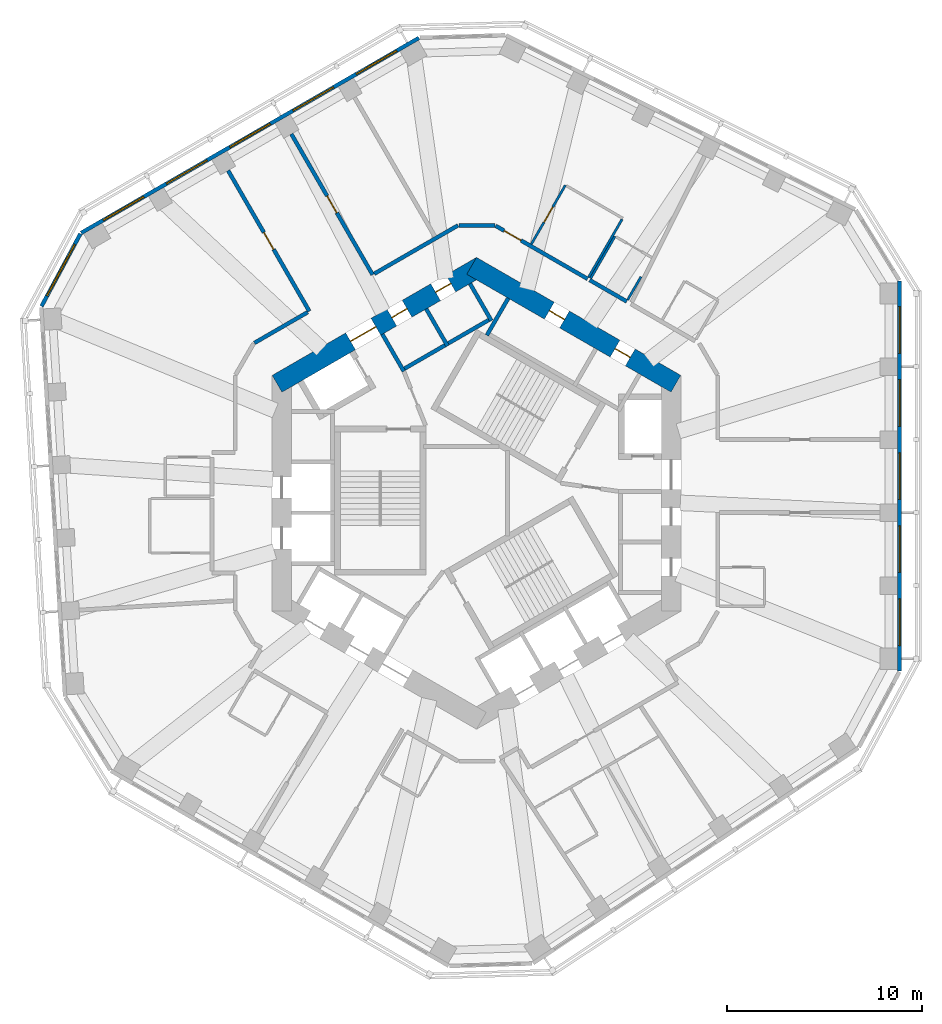
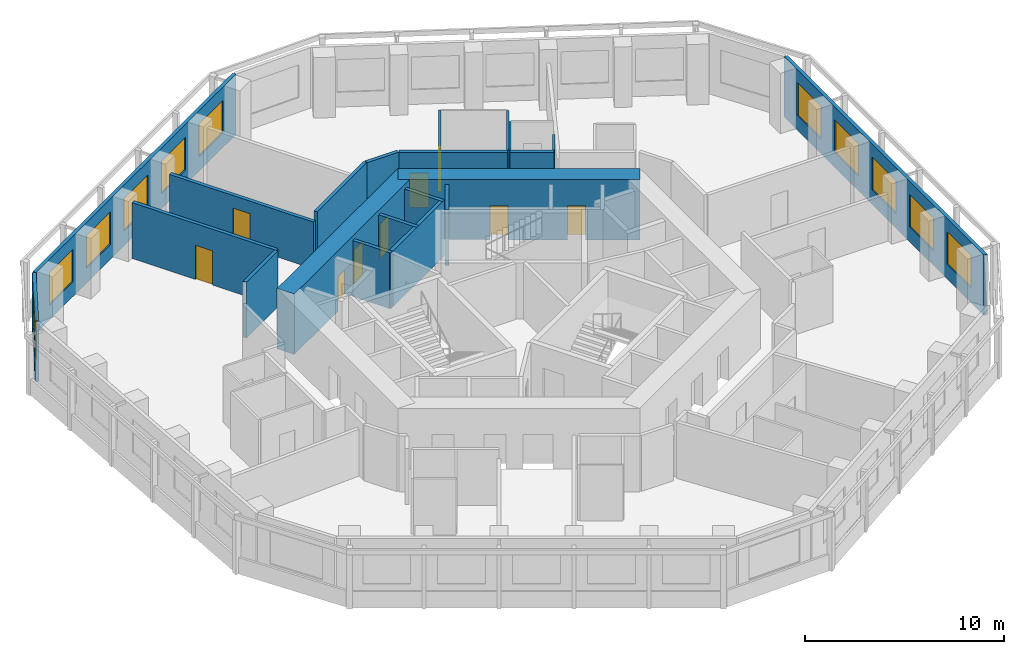
# One storey, part 7 of 11: 21 walls, 11 windows, 9 doors, 20 openings.
"""IFC4 building model written with IfcOpenShell, lengths in metres."""

from ifc_helpers import new_model, si_unit, direction, frame, frame_2d, origin, place, context, subcontext, project, spatial, rectangle, extrude, material, layer, layer_set, type_object, element, fill, save


model = new_model("IFC4")

# Units and contexts
model_context = context("Model", 3, precision=1e-05, world=origin(), true_north=direction((0.0, 1.0)))
body_context = subcontext(model_context, "Body", "Model", "MODEL_VIEW")
ifc_project = project(units=[si_unit("LENGTHUNIT", "METRE"), si_unit("AREAUNIT", "SQUARE_METRE"), si_unit("VOLUMEUNIT", "CUBIC_METRE"), si_unit("PLANEANGLEUNIT", "RADIAN"), si_unit("MASSUNIT", "GRAM", prefix="KILO")], contexts=[model_context])

# Site, building, storey
site_placement = place(None, origin())
site = spatial("IfcSite", under=ifc_project, at=site_placement, CompositionType="ELEMENT")
building_placement = place(site_placement, origin())
building = spatial("IfcBuilding", under=site, at=building_placement, Name="Vanh Sen Convention Tower", CompositionType="ELEMENT")
storey_placement = place(building_placement, frame((0.0, 0.0, 198.39990234375)))
storey = spatial("IfcBuildingStorey", under=building, at=storey_placement, Name="L49", CompositionType="ELEMENT", Elevation=198.39990234375)

# Wall, opening, door
ifc_material_1 = material(Name="Moisture-resistant gypsum board on steel studs", Category="steel")
ifc_layer_1 = layer(ifc_material_1, 0.1201171875)
ifc_layer_set_1 = layer_set([ifc_layer_1], Name="Moisture-resistant gypsum board on steel studs")
wall_type_1 = type_object("IfcWallType", Name="Bathroom partition 120", PredefinedType="PARTITIONING", material=ifc_layer_set_1)
wall_1_placement = place(storey_placement, frame((2.81884765625, 12.806396484375, 0.0), z_axis=(0.0, 0.0, 1.0), x_axis=(0.500010275428, 0.866019471182, 0.0)))
wall_1 = element("IfcWall", 1, at=wall_1_placement, inside=storey, type_object=wall_type_1, Name="Bathroom partition 120", PredefinedType="PARTITIONING", context=body_context, shape_type="SweptSolid", body=[
    extrude(rectangle(XDim=3.5, YDim=0.1201171875, at=frame_2d((1.75, 0.0))), origin(), (0.0, 0.0, 1.0), 3.420166015625),
])
opening_1_placement = place(wall_1_placement, frame((1.300048828125, 0.0, 0.0)))
opening_1 = element("IfcOpeningElement", 2, at=opening_1_placement, cuts=wall_1, Name="Opening D49105", PredefinedType="OPENING", context=body_context, shape_type="SweptSolid", body=[
    extrude(rectangle(XDim=0.89990234375, YDim=2.10009765625, at=frame_2d((0.449951171875, 1.050048828125))), frame((0.0, 0.070068359375, 0.0), z_axis=(0.0, -1.0, 0.0), x_axis=(1.0, 0.0, 0.0)), (0.0, 0.0, 1.0), 0.14013671875),
])
ifc_material_2 = material(Name="Laminate door in steel frame", Category="steel")
door_type_1 = type_object("IfcDoorType", Name="Room internal door 900", OperationType="SINGLE_SWING_LEFT", PredefinedType="DOOR", material=ifc_material_2)
door_1_placement = place(opening_1_placement, origin())
door_1 = element("IfcDoor", 3, at=door_1_placement, inside=storey, type_object=door_type_1, Name="Internal room door D49105", OperationType="SINGLE_SWING_LEFT", OverallHeight=2.10009765625, OverallWidth=0.89990234375, PredefinedType="DOOR", context=body_context, shape_type="SweptSolid", body=[
    extrude(rectangle(XDim=0.89990234375, YDim=2.10009765625, at=frame_2d((0.449951171875, 1.050048828125))), frame((0.0, 0.02490234375, 0.0), z_axis=(0.0, -1.0, 0.0), x_axis=(1.0, 0.0, 0.0)), (0.0, 0.0, 1.0), 0.050048828125),
])
fill(opening_1, door_1)

# Walls
wall_2_placement = place(storey_placement, frame((5.8671875, 11.04638671875, 0.0), z_axis=(0.0, 0.0, 1.0), x_axis=(0.500004234368, 0.866022959057, 0.0)))
element("IfcWall", 4, at=wall_2_placement, inside=storey, type_object=wall_type_1, Name="Bathroom partition 120", PredefinedType="PARTITIONING", context=body_context, shape_type="SweptSolid", body=[
    extrude(rectangle(XDim=2.5, YDim=0.1201171875, at=frame_2d((1.25, 0.0))), origin(), (0.0, 0.0, 1.0), 3.420166015625),
])
wall_3_placement = place(storey_placement, frame((7.4833984375, 14.08544921875, 0.0), z_axis=(0.0, 0.0, 1.0), x_axis=(-0.499978425106, -0.866037859697, 0.0)))
element("IfcWall", 5, at=wall_3_placement, inside=storey, type_object=wall_type_1, Name="Bathroom partition 120", PredefinedType="PARTITIONING", context=body_context, shape_type="SweptSolid", body=[
    extrude(rectangle(XDim=3.440185546875, YDim=0.1201171875, at=frame_2d((1.72021484375, 0.0))), origin(), (0.0, 0.0, 1.0), 3.420166015625),
])
wall_4_placement = place(storey_placement, frame((8.45703125, 11.131591796875, 0.0), z_axis=(0.0, 0.0, 1.0), x_axis=(-0.500129009956, -0.865950907038, 0.0)))
element("IfcWall", 6, at=wall_4_placement, inside=storey, type_object=wall_type_1, Name="Bathroom partition 120", PredefinedType="PARTITIONING", context=body_context, shape_type="SweptSolid", body=[
    extrude(rectangle(XDim=1.368896484375, YDim=0.1201171875, at=frame_2d((0.6845703125, 0.0))), origin(), (0.0, 0.0, 1.0), 3.420166015625),
])

# Wall, openings, doors
ifc_material_3 = material(Name="Concrete C80/95", Category="concrete")
ifc_layer_2 = layer(ifc_material_3, 1.0)
ifc_layer_set_2 = layer_set([ifc_layer_2], Name="Concrete C80/95")
wall_type_2 = type_object("IfcWallType", Name="Core outer wall 1000 C80/95", PredefinedType="SHEAR", material=ifc_layer_set_2)
wall_5_placement = place(storey_placement, frame((10.25, 5.629150390625, 0.0), z_axis=(0.0, 0.0, 1.0), x_axis=(-0.866022616891, 0.50000482701, 0.0)))
wall_5 = element("IfcWall", 7, at=wall_5_placement, inside=storey, type_object=wall_type_2, Name="Core wall face NE L49", PredefinedType="SHEAR", context=body_context, shape_type="SweptSolid", body=[
    extrude(rectangle(XDim=12.12451171875, YDim=1.0, at=frame_2d((6.062255859375, 0.0))), origin(), (0.0, 0.0, 1.0), 3.7001953125),
])
opening_2_placement = place(wall_5_placement, frame((2.712158203125, 0.0, 0.0)))
opening_2 = element("IfcOpeningElement", 8, at=opening_2_placement, cuts=wall_5, Name="Opening D49012", PredefinedType="OPENING", context=body_context, shape_type="SweptSolid", body=[
    extrude(rectangle(XDim=0.89990234375, YDim=2.10009765625, at=frame_2d((0.449951171875, 1.050048828125))), frame((0.0, 0.510009765625, 0.0), z_axis=(0.0, -1.0, 0.0), x_axis=(1.0, 0.0, 0.0)), (0.0, 0.0, 1.0), 1.02001953125),
])
opening_3_placement = place(wall_5_placement, frame((6.6123046875, 0.0, 0.0)))
opening_3 = element("IfcOpeningElement", 9, at=opening_3_placement, cuts=wall_5, Name="Opening D49013", PredefinedType="OPENING", context=body_context, shape_type="SweptSolid", body=[
    extrude(rectangle(XDim=0.89990234375, YDim=2.10009765625, at=frame_2d((0.449951171875, 1.050048828125))), frame((0.0, 0.510009765625, 0.0), z_axis=(0.0, -1.0, 0.0), x_axis=(1.0, 0.0, 0.0)), (0.0, 0.0, 1.0), 1.02001953125),
])
ifc_material_4 = material(Name="Steel S355", Category="steel")
door_type_2 = type_object("IfcDoorType", Name="Plant door 900", OperationType="SINGLE_SWING_LEFT", PredefinedType="DOOR", material=ifc_material_4)
door_2_placement = place(opening_2_placement, origin())
door_2 = element("IfcDoor", 10, at=door_2_placement, inside=storey, type_object=door_type_2, Name="Plant door D49012", OperationType="SINGLE_SWING_LEFT", OverallHeight=2.10009765625, OverallWidth=0.89990234375, PredefinedType="DOOR", context=body_context, shape_type="SweptSolid", body=[
    extrude(rectangle(XDim=0.89990234375, YDim=2.10009765625, at=frame_2d((0.449951171875, 1.050048828125))), frame((0.0, 0.02490234375, 0.0), z_axis=(0.0, -1.0, 0.0), x_axis=(1.0, 0.0, 0.0)), (0.0, 0.0, 1.0), 0.050048828125),
])
fill(opening_2, door_2)
door_3_placement = place(opening_3_placement, origin())
door_3 = element("IfcDoor", 11, at=door_3_placement, inside=storey, type_object=door_type_2, Name="Plant door D49013", OperationType="SINGLE_SWING_LEFT", OverallHeight=2.10009765625, OverallWidth=0.89990234375, PredefinedType="DOOR", context=body_context, shape_type="SweptSolid", body=[
    extrude(rectangle(XDim=0.89990234375, YDim=2.10009765625, at=frame_2d((0.449951171875, 1.050048828125))), frame((0.0, 0.02490234375, 0.0), z_axis=(0.0, -1.0, 0.0), x_axis=(1.0, 0.0, 0.0)), (0.0, 0.0, 1.0), 0.050048828125),
])
fill(opening_3, door_3)

wall_6_placement = place(storey_placement, frame((0.25, 11.69140625, 0.0), z_axis=(0.0, 0.0, 1.0), x_axis=(-0.866022616891, -0.50000482701, 0.0)))
wall_6 = element("IfcWall", 12, at=wall_6_placement, inside=storey, type_object=wall_type_2, Name="Core wall face NW L49", PredefinedType="SHEAR", context=body_context, shape_type="SweptSolid", body=[
    extrude(rectangle(XDim=12.12451171875, YDim=1.0, at=frame_2d((6.062255859375, 0.0))), origin(), (0.0, 0.0, 1.0), 3.7001953125),
])
opening_4_placement = place(wall_6_placement, frame((6.26220703125, 0.0, 0.0)))
opening_4 = element("IfcOpeningElement", 13, at=opening_4_placement, cuts=wall_6, Name="Opening D49002", PredefinedType="OPENING", context=body_context, shape_type="SweptSolid", body=[
    extrude(rectangle(XDim=1.5, YDim=2.10009765625, at=frame_2d((0.75, 1.050048828125))), frame((0.0, 0.510009765625, 0.0), z_axis=(0.0, -1.0, 0.0), x_axis=(1.0, 0.0, 0.0)), (0.0, 0.0, 1.0), 1.02001953125),
])
opening_5_placement = place(wall_6_placement, frame((1.812255859375, 0.0, 0.0)))
opening_5 = element("IfcOpeningElement", 14, at=opening_5_placement, cuts=wall_6, Name="Opening D49014", PredefinedType="OPENING", context=body_context, shape_type="SweptSolid", body=[
    extrude(rectangle(XDim=0.89990234375, YDim=2.10009765625, at=frame_2d((0.449951171875, 1.050048828125))), frame((0.0, 0.510009765625, 0.0), z_axis=(0.0, -1.0, 0.0), x_axis=(1.0, 0.0, 0.0)), (0.0, 0.0, 1.0), 1.02001953125),
])
opening_6_placement = place(wall_6_placement, frame((4.412109375, 0.0, 0.0)))
opening_6 = element("IfcOpeningElement", 15, at=opening_6_placement, cuts=wall_6, Name="Opening D49015", PredefinedType="OPENING", context=body_context, shape_type="SweptSolid", body=[
    extrude(rectangle(XDim=0.89990234375, YDim=2.10009765625, at=frame_2d((0.449951171875, 1.050048828125))), frame((0.0, 0.510009765625, 0.0), z_axis=(0.0, -1.0, 0.0), x_axis=(1.0, 0.0, 0.0)), (0.0, 0.0, 1.0), 1.02001953125),
])
door_4_placement = place(opening_5_placement, origin())
door_4 = element("IfcDoor", 16, at=door_4_placement, inside=storey, type_object=door_type_2, Name="Plant door D49014", OperationType="SINGLE_SWING_LEFT", OverallHeight=2.10009765625, OverallWidth=0.89990234375, PredefinedType="DOOR", context=body_context, shape_type="SweptSolid", body=[
    extrude(rectangle(XDim=0.89990234375, YDim=2.10009765625, at=frame_2d((0.449951171875, 1.050048828125))), frame((0.0, 0.02490234375, 0.0), z_axis=(0.0, -1.0, 0.0), x_axis=(1.0, 0.0, 0.0)), (0.0, 0.0, 1.0), 0.050048828125),
])
fill(opening_5, door_4)
door_5_placement = place(opening_6_placement, origin())
door_5 = element("IfcDoor", 17, at=door_5_placement, inside=storey, type_object=door_type_2, Name="Plant door D49015", OperationType="SINGLE_SWING_LEFT", OverallHeight=2.10009765625, OverallWidth=0.89990234375, PredefinedType="DOOR", context=body_context, shape_type="SweptSolid", body=[
    extrude(rectangle(XDim=0.89990234375, YDim=2.10009765625, at=frame_2d((0.449951171875, 1.050048828125))), frame((0.0, 0.02490234375, 0.0), z_axis=(0.0, -1.0, 0.0), x_axis=(1.0, 0.0, 0.0)), (0.0, 0.0, 1.0), 0.050048828125),
])
fill(opening_6, door_5)
door_type_3 = type_object("IfcDoorType", Name="Stair lobby door 1500", OperationType="DOUBLE_DOOR_SINGLE_SWING", PredefinedType="DOOR", material=ifc_material_4)
door_6_placement = place(opening_4_placement, origin())
door_6 = element("IfcDoor", 18, at=door_6_placement, inside=storey, type_object=door_type_3, Name="Stair lobby door D49002", OperationType="DOUBLE_DOOR_SINGLE_SWING", OverallHeight=2.10009765625, OverallWidth=1.5, PredefinedType="DOOR", context=body_context, shape_type="SweptSolid", body=[
    extrude(rectangle(XDim=1.5, YDim=2.10009765625, at=frame_2d((0.75, 1.050048828125))), frame((0.0, 0.02490234375, 0.0), z_axis=(0.0, -1.0, 0.0), x_axis=(1.0, 0.0, 0.0)), (0.0, 0.0, 1.0), 0.050048828125),
])
fill(opening_4, door_6)

# Wall, opening, door
ifc_material_5 = material(Name="Gypsum board on steel studs with mineral wool", Category="steel")
ifc_layer_3 = layer(ifc_material_5, 0.199951171875)
ifc_layer_set_3 = layer_set([ifc_layer_3], Name="Gypsum board on steel studs with mineral wool")
wall_type_3 = type_object("IfcWallType", Name="Corridor partition wall 200", PredefinedType="PARTITIONING", material=ifc_layer_set_3)
wall_7_placement = place(storey_placement, frame((-12.766357421875, 16.58935546875, 0.0), z_axis=(0.0, 0.0, 1.0), x_axis=(0.500010139422, -0.866019549707, 0.0)))
wall_7 = element("IfcWall", 19, at=wall_7_placement, inside=storey, type_object=wall_type_3, Name="Corridor partition wall 200", PredefinedType="PARTITIONING", context=body_context, shape_type="SweptSolid", body=[
    extrude(rectangle(XDim=8.349853515625, YDim=0.199951171875, at=frame_2d((4.1748046875, 0.0))), origin(), (0.0, 0.0, 1.0), 3.420166015625),
])
opening_7_placement = place(wall_7_placement, frame((3.675048828125, 0.0, 0.0)))
opening_7 = element("IfcOpeningElement", 20, at=opening_7_placement, cuts=wall_7, Name="Opening D49107", PredefinedType="OPENING", context=body_context, shape_type="SweptSolid", body=[
    extrude(rectangle(XDim=1.0, YDim=2.10009765625, at=frame_2d((0.5, 1.050048828125))), frame((0.0, 0.10986328125, 0.0), z_axis=(0.0, -1.0, 0.0), x_axis=(1.0, 0.0, 0.0)), (0.0, 0.0, 1.0), 0.219970703125),
])
ifc_material_6 = material(Name="Glazed fire door in steel frame", Category="steel")
door_type_4 = type_object("IfcDoorType", Name="Tenant entrance door 1000", OperationType="SINGLE_SWING_LEFT", PredefinedType="DOOR", material=ifc_material_6)
door_7_placement = place(opening_7_placement, origin())
door_7 = element("IfcDoor", 21, at=door_7_placement, inside=storey, type_object=door_type_4, Name="Tenant suite entrance door D49107", OperationType="SINGLE_SWING_LEFT", OverallHeight=2.10009765625, OverallWidth=1.0, PredefinedType="DOOR", context=body_context, shape_type="SweptSolid", body=[
    extrude(rectangle(XDim=1.0, YDim=2.10009765625, at=frame_2d((0.5, 1.050048828125))), frame((0.0, 0.02490234375, 0.0), z_axis=(0.0, -1.0, 0.0), x_axis=(1.0, 0.0, 0.0)), (0.0, 0.0, 1.0), 0.050048828125),
])
fill(opening_7, door_7)

wall_8_placement = place(storey_placement, frame((-9.51513671875, 18.46630859375, 0.0), z_axis=(0.0, 0.0, 1.0), x_axis=(0.500010139422, -0.866019549707, 0.0)))
wall_8 = element("IfcWall", 22, at=wall_8_placement, inside=storey, type_object=wall_type_3, Name="Corridor partition wall 200", PredefinedType="PARTITIONING", context=body_context, shape_type="SweptSolid", body=[
    extrude(rectangle(XDim=8.349853515625, YDim=0.199951171875, at=frame_2d((4.1748046875, 0.0))), origin(), (0.0, 0.0, 1.0), 2.8701171875),
])
opening_8_placement = place(wall_8_placement, frame((3.675048828125, 0.0, 0.0)))
opening_8 = element("IfcOpeningElement", 23, at=opening_8_placement, cuts=wall_8, Name="Opening D49106", PredefinedType="OPENING", context=body_context, shape_type="SweptSolid", body=[
    extrude(rectangle(XDim=1.0, YDim=2.10009765625, at=frame_2d((0.5, 1.050048828125))), frame((0.0, 0.10986328125, 0.0), z_axis=(0.0, -1.0, 0.0), x_axis=(1.0, 0.0, 0.0)), (0.0, 0.0, 1.0), 0.219970703125),
])
door_8_placement = place(opening_8_placement, origin())
door_8 = element("IfcDoor", 24, at=door_8_placement, inside=storey, type_object=door_type_4, Name="Tenant suite entrance door D49106", OperationType="SINGLE_SWING_LEFT", OverallHeight=2.10009765625, OverallWidth=1.0, PredefinedType="DOOR", context=body_context, shape_type="SweptSolid", body=[
    extrude(rectangle(XDim=1.0, YDim=2.10009765625, at=frame_2d((0.5, 1.050048828125))), frame((0.0, 0.02490234375, 0.0), z_axis=(0.0, -1.0, 0.0), x_axis=(1.0, 0.0, 0.0)), (0.0, 0.0, 1.0), 0.050048828125),
])
fill(opening_8, door_8)

# Walls
wall_9_placement = place(storey_placement, frame((-8.677978515625, 9.30810546875, 0.0), z_axis=(0.0, 0.0, 1.0), x_axis=(-0.866000359435, -0.500043375578, 0.0)))
element("IfcWall", 25, at=wall_9_placement, inside=storey, type_object=wall_type_3, Name="Corridor partition wall 200", PredefinedType="PARTITIONING", context=body_context, shape_type="SweptSolid", body=[
    extrude(rectangle(XDim=3.160888671875, YDim=0.199951171875, at=frame_2d((1.58056640625, 0.0))), origin(), (0.0, 0.0, 1.0), 3.420166015625),
])
wall_10_placement = place(storey_placement, frame((-0.949951171875, 13.769775390625, 0.0), z_axis=(0.0, 0.0, 1.0), x_axis=(-0.866036689987, -0.499980451214, 0.0)))
element("IfcWall", 26, at=wall_10_placement, inside=storey, type_object=wall_type_3, Name="Corridor partition wall 200", PredefinedType="PARTITIONING", context=body_context, shape_type="SweptSolid", body=[
    extrude(rectangle(XDim=4.969482421875, YDim=0.199951171875, at=frame_2d((2.48486328125, 0.0))), origin(), (0.0, 0.0, 1.0), 3.420166015625),
])
wall_11_placement = place(storey_placement, frame((0.949951171875, 13.769775390625, 0.0), z_axis=(0.0, 0.0, 1.0), x_axis=(-1.0, 0.0, 0.0)))
element("IfcWall", 27, at=wall_11_placement, inside=storey, type_object=wall_type_3, Name="Corridor partition wall 200", PredefinedType="PARTITIONING", context=body_context, shape_type="SweptSolid", body=[
    extrude(rectangle(XDim=1.85986328125, YDim=0.199951171875, at=frame_2d((0.929931640625, 0.0))), origin(), (0.0, 0.0, 1.0), 3.420166015625),
])

# Wall, opening, door
wall_12_placement = place(storey_placement, frame((5.71337890625, 11.019775390625, 0.0), z_axis=(0.0, 0.0, 1.0), x_axis=(-0.866038905227, 0.499976614087, 0.0)))
wall_12 = element("IfcWall", 28, at=wall_12_placement, inside=storey, type_object=wall_type_3, Name="Corridor partition wall 200", PredefinedType="PARTITIONING", context=body_context, shape_type="SweptSolid", body=[
    extrude(rectangle(XDim=5.460205078125, YDim=0.199951171875, at=frame_2d((2.72998046875, 0.0))), origin(), (0.0, 0.0, 1.0), 3.420166015625),
])
opening_9_placement = place(wall_12_placement, frame((3.955078125, 0.0, 0.0)))
opening_9 = element("IfcOpeningElement", 29, at=opening_9_placement, cuts=wall_12, Name="Opening D49103", PredefinedType="OPENING", context=body_context, shape_type="SweptSolid", body=[
    extrude(rectangle(XDim=1.0, YDim=2.10009765625, at=frame_2d((0.5, 1.050048828125))), frame((0.0, 0.10986328125, 0.0), z_axis=(0.0, -1.0, 0.0), x_axis=(1.0, 0.0, 0.0)), (0.0, 0.0, 1.0), 0.219970703125),
])
door_9_placement = place(opening_9_placement, origin())
door_9 = element("IfcDoor", 30, at=door_9_placement, inside=storey, type_object=door_type_4, Name="Tenant suite entrance door D49103", OperationType="SINGLE_SWING_LEFT", OverallHeight=2.10009765625, OverallWidth=1.0, PredefinedType="DOOR", context=body_context, shape_type="SweptSolid", body=[
    extrude(rectangle(XDim=1.0, YDim=2.10009765625, at=frame_2d((0.5, 1.050048828125))), frame((0.0, 0.02490234375, 0.0), z_axis=(0.0, -1.0, 0.0), x_axis=(1.0, 0.0, 0.0)), (0.0, 0.0, 1.0), 0.050048828125),
])
fill(opening_9, door_9)

# Wall
wall_13_placement = place(storey_placement, frame((7.722412109375, 9.859619140625, 0.0), z_axis=(0.0, 0.0, 1.0), x_axis=(-0.86598042715, 0.500077893725, 0.0)))
element("IfcWall", 31, at=wall_13_placement, inside=storey, type_object=wall_type_3, Name="Corridor partition wall 200", PredefinedType="PARTITIONING", context=body_context, shape_type="SweptSolid", body=[
    extrude(rectangle(XDim=2.199951171875, YDim=0.199951171875, at=frame_2d((1.10009765625, 0.0))), origin(), (0.0, 0.0, 1.0), 3.420166015625),
])

# Wall, openings, windows
ifc_material_7 = material(Name="Insulated lightweight infill wall")
ifc_layer_4 = layer(ifc_material_7, 0.199951171875)
ifc_layer_set_4 = layer_set([ifc_layer_4], Name="Insulated lightweight infill wall")
wall_type_4 = type_object("IfcWallType", Name="External wall 200", PredefinedType="STANDARD", material=ifc_layer_set_4)
wall_14_placement = place(storey_placement, frame((21.75, -9.138427734375, 0.0), z_axis=(0.0, 0.0, 1.0), x_axis=(0.0, 1.0, 0.0)))
wall_14 = element("IfcWall", 32, at=wall_14_placement, inside=storey, type_object=wall_type_4, Name="External wall E L49", PredefinedType="STANDARD", context=body_context, shape_type="SweptSolid", body=[
    extrude(rectangle(XDim=20.043701171875, YDim=0.199951171875, at=frame_2d((10.02197265625, 0.0))), origin(), (0.0, 0.0, 1.0), 3.7001953125),
])
opening_10_placement = place(wall_14_placement, frame((1.314453125, 0.0, 0.89990234375)))
opening_10 = element("IfcOpeningElement", 33, at=opening_10_placement, cuts=wall_14, Name="Opening WO1-E1", PredefinedType="OPENING", context=body_context, shape_type="SweptSolid", body=[
    extrude(rectangle(XDim=2.39990234375, YDim=2.0, at=frame_2d((1.199951171875, 1.0))), frame((0.0, 0.10986328125, 0.0), z_axis=(0.0, -1.0, 0.0), x_axis=(1.0, 0.0, 0.0)), (0.0, 0.0, 1.0), 0.219970703125),
])
opening_11_placement = place(wall_14_placement, frame((5.068603515625, 0.0, 0.89990234375)))
opening_11 = element("IfcOpeningElement", 34, at=opening_11_placement, cuts=wall_14, Name="Opening WO1-E2", PredefinedType="OPENING", context=body_context, shape_type="SweptSolid", body=[
    extrude(rectangle(XDim=2.39990234375, YDim=2.0, at=frame_2d((1.199951171875, 1.0))), frame((0.0, 0.10986328125, 0.0), z_axis=(0.0, -1.0, 0.0), x_axis=(1.0, 0.0, 0.0)), (0.0, 0.0, 1.0), 0.219970703125),
])
opening_12_placement = place(wall_14_placement, frame((8.82275390625, 0.0, 0.89990234375)))
opening_12 = element("IfcOpeningElement", 35, at=opening_12_placement, cuts=wall_14, Name="Opening WO1-E3", PredefinedType="OPENING", context=body_context, shape_type="SweptSolid", body=[
    extrude(rectangle(XDim=2.39990234375, YDim=2.0, at=frame_2d((1.199951171875, 1.0))), frame((0.0, 0.10986328125, 0.0), z_axis=(0.0, -1.0, 0.0), x_axis=(1.0, 0.0, 0.0)), (0.0, 0.0, 1.0), 0.219970703125),
])
opening_13_placement = place(wall_14_placement, frame((12.576904296875, 0.0, 0.89990234375)))
opening_13 = element("IfcOpeningElement", 36, at=opening_13_placement, cuts=wall_14, Name="Opening WO1-E4", PredefinedType="OPENING", context=body_context, shape_type="SweptSolid", body=[
    extrude(rectangle(XDim=2.39990234375, YDim=2.0, at=frame_2d((1.199951171875, 1.0))), frame((0.0, 0.10986328125, 0.0), z_axis=(0.0, -1.0, 0.0), x_axis=(1.0, 0.0, 0.0)), (0.0, 0.0, 1.0), 0.219970703125),
])
opening_14_placement = place(wall_14_placement, frame((16.330810546875, 0.0, 0.89990234375)))
opening_14 = element("IfcOpeningElement", 37, at=opening_14_placement, cuts=wall_14, Name="Opening WO1-E5", PredefinedType="OPENING", context=body_context, shape_type="SweptSolid", body=[
    extrude(rectangle(XDim=2.39990234375, YDim=2.0, at=frame_2d((1.199951171875, 1.0))), frame((0.0, 0.10986328125, 0.0), z_axis=(0.0, -1.0, 0.0), x_axis=(1.0, 0.0, 0.0)), (0.0, 0.0, 1.0), 0.219970703125),
])
ifc_material_8 = material(Name="Aluminium frame with clear low-emissivity glass", Category="aluminium")
window_type_1 = type_object("IfcWindowType", Name="Office window 2400 x 2000", PartitioningType="SINGLE_PANEL", PredefinedType="WINDOW", material=ifc_material_8)
window_1_placement = place(opening_10_placement, origin())
window_1 = element("IfcWindow", 38, at=window_1_placement, inside=storey, type_object=window_type_1, Name="Window WO1-E1", OverallHeight=2.0, OverallWidth=2.39990234375, PartitioningType="SINGLE_PANEL", PredefinedType="WINDOW", context=body_context, shape_type="SweptSolid", body=[
    extrude(rectangle(XDim=2.39990234375, YDim=2.0, at=frame_2d((1.199951171875, 1.0))), frame((0.0, 0.030029296875, 0.0), z_axis=(0.0, -1.0, 0.0), x_axis=(1.0, 0.0, 0.0)), (0.0, 0.0, 1.0), 0.06005859375),
])
fill(opening_10, window_1)
window_2_placement = place(opening_11_placement, origin())
window_2 = element("IfcWindow", 39, at=window_2_placement, inside=storey, type_object=window_type_1, Name="Window WO1-E2", OverallHeight=2.0, OverallWidth=2.39990234375, PartitioningType="SINGLE_PANEL", PredefinedType="WINDOW", context=body_context, shape_type="SweptSolid", body=[
    extrude(rectangle(XDim=2.39990234375, YDim=2.0, at=frame_2d((1.199951171875, 1.0))), frame((0.0, 0.030029296875, 0.0), z_axis=(0.0, -1.0, 0.0), x_axis=(1.0, 0.0, 0.0)), (0.0, 0.0, 1.0), 0.06005859375),
])
fill(opening_11, window_2)
window_3_placement = place(opening_12_placement, origin())
window_3 = element("IfcWindow", 40, at=window_3_placement, inside=storey, type_object=window_type_1, Name="Window WO1-E3", OverallHeight=2.0, OverallWidth=2.39990234375, PartitioningType="SINGLE_PANEL", PredefinedType="WINDOW", context=body_context, shape_type="SweptSolid", body=[
    extrude(rectangle(XDim=2.39990234375, YDim=2.0, at=frame_2d((1.199951171875, 1.0))), frame((0.0, 0.030029296875, 0.0), z_axis=(0.0, -1.0, 0.0), x_axis=(1.0, 0.0, 0.0)), (0.0, 0.0, 1.0), 0.06005859375),
])
fill(opening_12, window_3)
window_4_placement = place(opening_13_placement, origin())
window_4 = element("IfcWindow", 41, at=window_4_placement, inside=storey, type_object=window_type_1, Name="Window WO1-E4", OverallHeight=2.0, OverallWidth=2.39990234375, PartitioningType="SINGLE_PANEL", PredefinedType="WINDOW", context=body_context, shape_type="SweptSolid", body=[
    extrude(rectangle(XDim=2.39990234375, YDim=2.0, at=frame_2d((1.199951171875, 1.0))), frame((0.0, 0.030029296875, 0.0), z_axis=(0.0, -1.0, 0.0), x_axis=(1.0, 0.0, 0.0)), (0.0, 0.0, 1.0), 0.06005859375),
])
fill(opening_13, window_4)
window_5_placement = place(opening_14_placement, origin())
window_5 = element("IfcWindow", 42, at=window_5_placement, inside=storey, type_object=window_type_1, Name="Window WO1-E5", OverallHeight=2.0, OverallWidth=2.39990234375, PartitioningType="SINGLE_PANEL", PredefinedType="WINDOW", context=body_context, shape_type="SweptSolid", body=[
    extrude(rectangle(XDim=2.39990234375, YDim=2.0, at=frame_2d((1.199951171875, 1.0))), frame((0.0, 0.030029296875, 0.0), z_axis=(0.0, -1.0, 0.0), x_axis=(1.0, 0.0, 0.0)), (0.0, 0.0, 1.0), 0.06005859375),
])
fill(opening_14, window_5)

wall_15_placement = place(storey_placement, frame((-2.9609375, 23.4052734375, 0.0), z_axis=(0.0, 0.0, 1.0), x_axis=(-0.866023315909, -0.500003616288, 0.0)))
wall_15 = element("IfcWall", 43, at=wall_15_placement, inside=storey, type_object=wall_type_4, Name="External wall NW L49", PredefinedType="STANDARD", context=body_context, shape_type="SweptSolid", body=[
    extrude(rectangle(XDim=20.043701171875, YDim=0.199951171875, at=frame_2d((10.02197265625, 0.0))), origin(), (0.0, 0.0, 1.0), 3.7001953125),
])
opening_15_placement = place(wall_15_placement, frame((1.314453125, 0.0, 0.89990234375)))
opening_15 = element("IfcOpeningElement", 44, at=opening_15_placement, cuts=wall_15, Name="Opening WO1-NW1", PredefinedType="OPENING", context=body_context, shape_type="SweptSolid", body=[
    extrude(rectangle(XDim=2.39990234375, YDim=2.0, at=frame_2d((1.199951171875, 1.0))), frame((0.0, 0.10986328125, 0.0), z_axis=(0.0, -1.0, 0.0), x_axis=(1.0, 0.0, 0.0)), (0.0, 0.0, 1.0), 0.219970703125),
])
opening_16_placement = place(wall_15_placement, frame((5.068603515625, 0.0, 0.89990234375)))
opening_16 = element("IfcOpeningElement", 45, at=opening_16_placement, cuts=wall_15, Name="Opening WO1-NW2", PredefinedType="OPENING", context=body_context, shape_type="SweptSolid", body=[
    extrude(rectangle(XDim=2.39990234375, YDim=2.0, at=frame_2d((1.199951171875, 1.0))), frame((0.0, 0.10986328125, 0.0), z_axis=(0.0, -1.0, 0.0), x_axis=(1.0, 0.0, 0.0)), (0.0, 0.0, 1.0), 0.219970703125),
])
opening_17_placement = place(wall_15_placement, frame((8.82275390625, 0.0, 0.89990234375)))
opening_17 = element("IfcOpeningElement", 46, at=opening_17_placement, cuts=wall_15, Name="Opening WO1-NW3", PredefinedType="OPENING", context=body_context, shape_type="SweptSolid", body=[
    extrude(rectangle(XDim=2.39990234375, YDim=2.0, at=frame_2d((1.199951171875, 1.0))), frame((0.0, 0.10986328125, 0.0), z_axis=(0.0, -1.0, 0.0), x_axis=(1.0, 0.0, 0.0)), (0.0, 0.0, 1.0), 0.219970703125),
])
opening_18_placement = place(wall_15_placement, frame((12.576904296875, 0.0, 0.89990234375)))
opening_18 = element("IfcOpeningElement", 47, at=opening_18_placement, cuts=wall_15, Name="Opening WO1-NW4", PredefinedType="OPENING", context=body_context, shape_type="SweptSolid", body=[
    extrude(rectangle(XDim=2.39990234375, YDim=2.0, at=frame_2d((1.199951171875, 1.0))), frame((0.0, 0.10986328125, 0.0), z_axis=(0.0, -1.0, 0.0), x_axis=(1.0, 0.0, 0.0)), (0.0, 0.0, 1.0), 0.219970703125),
])
opening_19_placement = place(wall_15_placement, frame((16.330810546875, 0.0, 0.89990234375)))
opening_19 = element("IfcOpeningElement", 48, at=opening_19_placement, cuts=wall_15, Name="Opening WO1-NW5", PredefinedType="OPENING", context=body_context, shape_type="SweptSolid", body=[
    extrude(rectangle(XDim=2.39990234375, YDim=2.0, at=frame_2d((1.199951171875, 1.0))), frame((0.0, 0.10986328125, 0.0), z_axis=(0.0, -1.0, 0.0), x_axis=(1.0, 0.0, 0.0)), (0.0, 0.0, 1.0), 0.219970703125),
])
window_6_placement = place(opening_15_placement, origin())
window_6 = element("IfcWindow", 49, at=window_6_placement, inside=storey, type_object=window_type_1, Name="Window WO1-NW1", OverallHeight=2.0, OverallWidth=2.39990234375, PartitioningType="SINGLE_PANEL", PredefinedType="WINDOW", context=body_context, shape_type="SweptSolid", body=[
    extrude(rectangle(XDim=2.39990234375, YDim=2.0, at=frame_2d((1.199951171875, 1.0))), frame((0.0, 0.030029296875, 0.0), z_axis=(0.0, -1.0, 0.0), x_axis=(1.0, 0.0, 0.0)), (0.0, 0.0, 1.0), 0.06005859375),
])
fill(opening_15, window_6)
window_7_placement = place(opening_16_placement, origin())
window_7 = element("IfcWindow", 50, at=window_7_placement, inside=storey, type_object=window_type_1, Name="Window WO1-NW2", OverallHeight=2.0, OverallWidth=2.39990234375, PartitioningType="SINGLE_PANEL", PredefinedType="WINDOW", context=body_context, shape_type="SweptSolid", body=[
    extrude(rectangle(XDim=2.39990234375, YDim=2.0, at=frame_2d((1.199951171875, 1.0))), frame((0.0, 0.030029296875, 0.0), z_axis=(0.0, -1.0, 0.0), x_axis=(1.0, 0.0, 0.0)), (0.0, 0.0, 1.0), 0.06005859375),
])
fill(opening_16, window_7)
window_8_placement = place(opening_17_placement, origin())
window_8 = element("IfcWindow", 51, at=window_8_placement, inside=storey, type_object=window_type_1, Name="Window WO1-NW3", OverallHeight=2.0, OverallWidth=2.39990234375, PartitioningType="SINGLE_PANEL", PredefinedType="WINDOW", context=body_context, shape_type="SweptSolid", body=[
    extrude(rectangle(XDim=2.39990234375, YDim=2.0, at=frame_2d((1.199951171875, 1.0))), frame((0.0, 0.030029296875, 0.0), z_axis=(0.0, -1.0, 0.0), x_axis=(1.0, 0.0, 0.0)), (0.0, 0.0, 1.0), 0.06005859375),
])
fill(opening_17, window_8)
window_9_placement = place(opening_18_placement, origin())
window_9 = element("IfcWindow", 52, at=window_9_placement, inside=storey, type_object=window_type_1, Name="Window WO1-NW4", OverallHeight=2.0, OverallWidth=2.39990234375, PartitioningType="SINGLE_PANEL", PredefinedType="WINDOW", context=body_context, shape_type="SweptSolid", body=[
    extrude(rectangle(XDim=2.39990234375, YDim=2.0, at=frame_2d((1.199951171875, 1.0))), frame((0.0, 0.030029296875, 0.0), z_axis=(0.0, -1.0, 0.0), x_axis=(1.0, 0.0, 0.0)), (0.0, 0.0, 1.0), 0.06005859375),
])
fill(opening_18, window_9)
window_10_placement = place(opening_19_placement, origin())
window_10 = element("IfcWindow", 53, at=window_10_placement, inside=storey, type_object=window_type_1, Name="Window WO1-NW5", OverallHeight=2.0, OverallWidth=2.39990234375, PartitioningType="SINGLE_PANEL", PredefinedType="WINDOW", context=body_context, shape_type="SweptSolid", body=[
    extrude(rectangle(XDim=2.39990234375, YDim=2.0, at=frame_2d((1.199951171875, 1.0))), frame((0.0, 0.030029296875, 0.0), z_axis=(0.0, -1.0, 0.0), x_axis=(1.0, 0.0, 0.0)), (0.0, 0.0, 1.0), 0.06005859375),
])
fill(opening_19, window_10)

# Wall, opening, window
wall_16_placement = place(storey_placement, frame((-20.357421875, 13.343994140625, 0.0), z_axis=(0.0, 0.0, 1.0), x_axis=(-0.473288913494, -0.880907262068, 0.0)))
wall_16 = element("IfcWall", 54, at=wall_16_placement, inside=storey, type_object=wall_type_4, Name="External wall CH3 L49", PredefinedType="STANDARD", context=body_context, shape_type="SweptSolid", body=[
    extrude(rectangle(XDim=4.238037109375, YDim=0.199951171875, at=frame_2d((2.119140625, 0.0))), origin(), (0.0, 0.0, 1.0), 3.7001953125),
])
opening_20_placement = place(wall_16_placement, frame((0.619140625, 0.0, 0.89990234375)))
opening_20 = element("IfcOpeningElement", 55, at=opening_20_placement, cuts=wall_16, Name="Opening WO2-CH31", PredefinedType="OPENING", context=body_context, shape_type="SweptSolid", body=[
    extrude(rectangle(XDim=3.0, YDim=2.0, at=frame_2d((1.5, 1.0))), frame((0.0, 0.10986328125, 0.0), z_axis=(0.0, -1.0, 0.0), x_axis=(1.0, 0.0, 0.0)), (0.0, 0.0, 1.0), 0.219970703125),
])
window_type_2 = type_object("IfcWindowType", Name="Office window 3000 x 2000", PartitioningType="SINGLE_PANEL", PredefinedType="WINDOW", material=ifc_material_8)
window_11_placement = place(opening_20_placement, origin())
window_11 = element("IfcWindow", 56, at=window_11_placement, inside=storey, type_object=window_type_2, Name="Window WO2-CH31", OverallHeight=2.0, OverallWidth=3.0, PartitioningType="SINGLE_PANEL", PredefinedType="WINDOW", context=body_context, shape_type="SweptSolid", body=[
    extrude(rectangle(XDim=3.0, YDim=2.0, at=frame_2d((1.5, 1.0))), frame((0.0, 0.030029296875, 0.0), z_axis=(0.0, -1.0, 0.0), x_axis=(1.0, 0.0, 0.0)), (0.0, 0.0, 1.0), 0.06005859375),
])
fill(opening_20, window_11)

# Walls
ifc_material_9 = material(Name="Concrete C40/50", Category="concrete")
ifc_layer_5 = layer(ifc_material_9, 0.199951171875)
ifc_layer_set_5 = layer_set([ifc_layer_5], Name="Concrete C40/50")
wall_type_5 = type_object("IfcWallType", Name="Lift shaft wall 200", PredefinedType="PARTITIONING", material=ifc_layer_set_5)
wall_17_placement = place(storey_placement, frame((0.5322265625, 8.1220703125, 0.0), z_axis=(0.0, 0.0, 1.0), x_axis=(0.500077893725, 0.86598042715, 0.0)))
element("IfcWall", 57, at=wall_17_placement, inside=storey, type_object=wall_type_5, Name="Lift shaft wall L49", PredefinedType="PARTITIONING", context=body_context, shape_type="SweptSolid", body=[
    extrude(rectangle(XDim=2.199951171875, YDim=0.199951171875, at=frame_2d((1.10009765625, 0.0))), origin(), (0.0, 0.0, 1.0), 3.420166015625),
])
wall_18_placement = place(storey_placement, frame((0.80322265625, 9.008544921875, 0.0), z_axis=(0.0, 0.0, 1.0), x_axis=(-0.866028230842, -0.499995103361, 0.0)))
element("IfcWall", 58, at=wall_18_placement, inside=storey, type_object=wall_type_5, Name="Lift shaft wall L49", PredefinedType="PARTITIONING", context=body_context, shape_type="SweptSolid", body=[
    extrude(rectangle(XDim=5.39990234375, YDim=0.199951171875, at=frame_2d((2.699951171875, 0.0))), origin(), (0.0, 0.0, 1.0), 3.420166015625),
])
wall_19_placement = place(storey_placement, frame((0.7666015625, 8.8720703125, 0.0), z_axis=(0.0, 0.0, 1.0), x_axis=(-0.499994660107, 0.866028486751, 0.0)))
element("IfcWall", 59, at=wall_19_placement, inside=storey, type_object=wall_type_5, Name="Lift shaft wall L49", PredefinedType="PARTITIONING", context=body_context, shape_type="SweptSolid", body=[
    extrude(rectangle(XDim=2.19970703125, YDim=0.199951171875, at=frame_2d((1.099853515625, 0.0))), origin(), (0.0, 0.0, 1.0), 3.420166015625),
])
for number, where, z_axis, x_axis, name in (
    (60, (-1.48486328125, 7.572021484375, 0.0), (0.0, 0.0, 1.0), (-0.50002983664, 0.866008176907, 0.0), "Lift shaft wall L49"),
    (61, (-3.736572265625, 6.27197265625, 0.0), (0.0, 0.0, 1.0), (-0.50002983664, 0.866008176907, 0.0), "Lift shaft wall L49"),
):
    element("IfcWall", number, at=place(storey_placement, frame(where, z_axis=z_axis, x_axis=x_axis)), inside=storey, type_object=wall_type_5, Name=name, PredefinedType="PARTITIONING", context=body_context, shape_type="SweptSolid", body=[
        extrude(rectangle(XDim=2.199951171875, YDim=0.199951171875, at=frame_2d((1.10009765625, 0.0))), origin(), (0.0, 0.0, 1.0), 3.420166015625),
    ])

save(model, "model.ifc")
